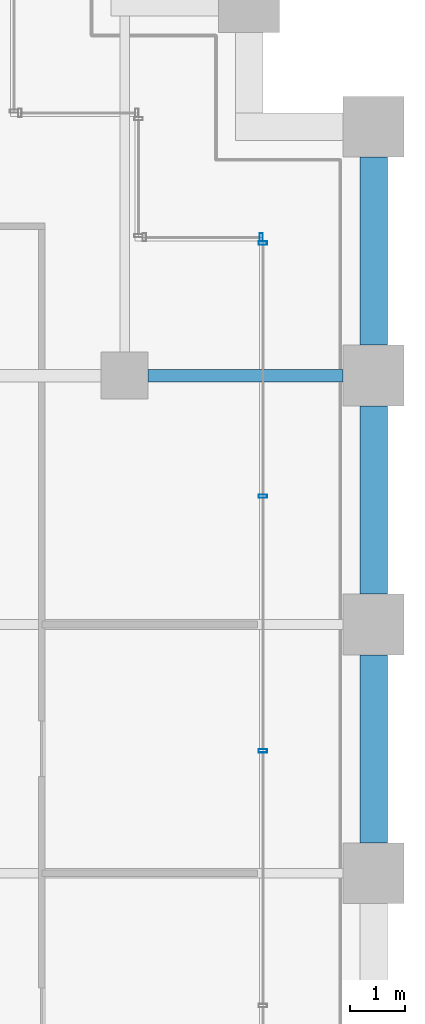
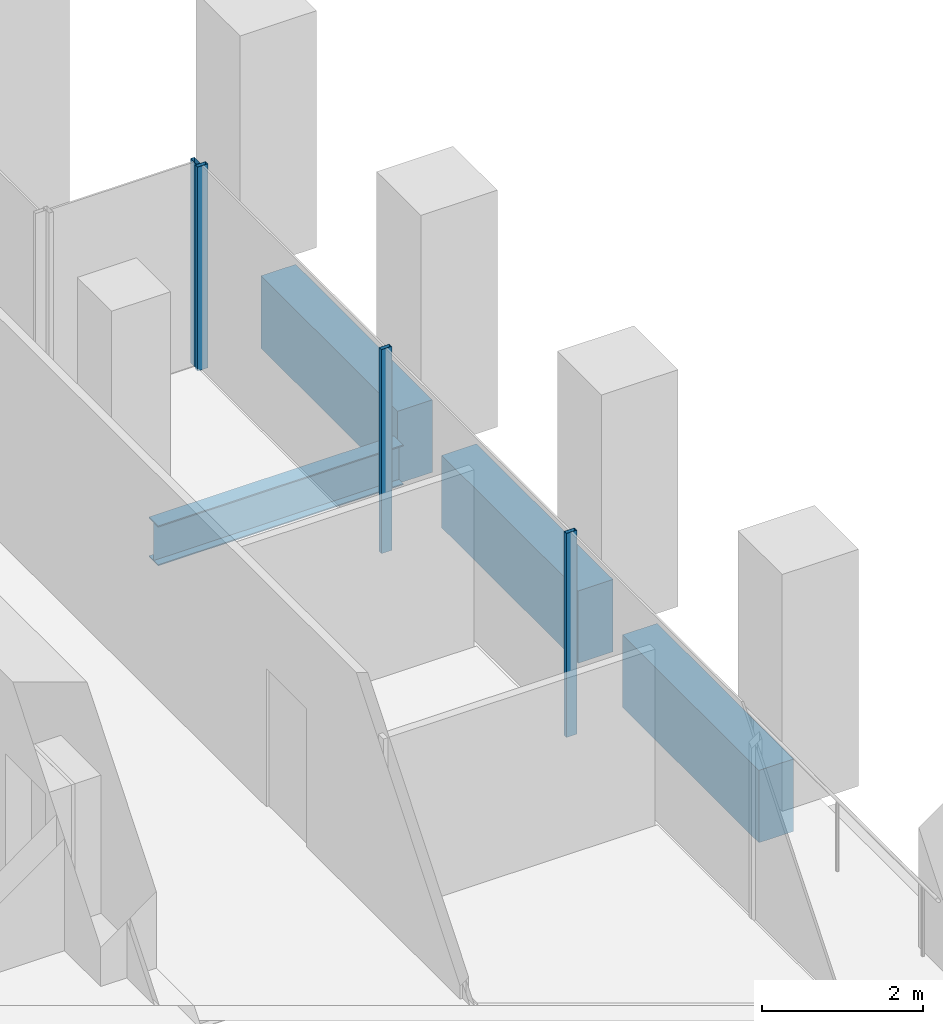
# One storey, part 47 of 56: 4 beams, 4 members, 2 elements without a shape of their own.
"""IFC4 building model written with IfcOpenShell, lengths in metres."""

from ifc_helpers import new_model, si_unit, direction, frame, origin, origin_2d, place, context, subcontext, project, spatial, rectangle, hollow_rectangle, i_section, extrude, material, material_profile, profile_set, type_object, element, aggregate, save


model = new_model("IFC4")

# Units and contexts
model_context = context("Model", 3, precision=1e-05, world=origin(), true_north=direction((0.0, 1.0)))
body_context = subcontext(model_context, "Body", "Model", "MODEL_VIEW")
ifc_project = project(units=[si_unit("LENGTHUNIT", "METRE"), si_unit("AREAUNIT", "SQUARE_METRE"), si_unit("VOLUMEUNIT", "CUBIC_METRE"), si_unit("PLANEANGLEUNIT", "RADIAN"), si_unit("MASSUNIT", "GRAM", prefix="KILO")], contexts=[model_context])

# Site, building, storey
site_placement = place(None, origin())
site = spatial("IfcSite", under=ifc_project, at=site_placement, CompositionType="ELEMENT")
building_placement = place(site_placement, origin())
building = spatial("IfcBuilding", under=site, at=building_placement, Name="Altepetl Exchange Towers", CompositionType="ELEMENT")
storey_placement = place(building_placement, frame((0.0, 0.0, 83.39990234375)))
storey = spatial("IfcBuildingStorey", under=building, at=storey_placement, Name="L20", CompositionType="ELEMENT", Elevation=83.39990234375)

# Beam
ifc_material_1 = material(Name="Steel S355", Category="steel")
ifc_material_profile_1 = material_profile(ifc_material_1, i_section(OverallWidth=0.22802734375, OverallDepth=0.60791015625, WebThickness=0.01123046875, FlangeThickness=0.017333984375, at=origin_2d()), Name="W24X76")
ifc_profile_set_1 = profile_set([ifc_material_profile_1], Name="Steel S355")
beam_type_1 = type_object("IfcBeamType", Name="Girder W24X76", PredefinedType="BEAM", material=ifc_profile_set_1)
beam_1_placement = place(storey_placement, frame((121.925048828125, 49.5, -0.453857421875), z_axis=(1.0, 0.0, 0.0), x_axis=(0.0, 1.0, 0.0)))
element("IfcBeam", 1, at=beam_1_placement, inside=storey, type_object=beam_type_1, Name="gd:B:L20:001", PredefinedType="BEAM", context=body_context, shape_type="SweptSolid", body=[
    extrude(i_section(OverallWidth=0.22802734375, OverallDepth=0.60791015625, WebThickness=0.01123046875, FlangeThickness=0.017333984375, at=origin_2d()), origin(), (0.0, 0.0, 1.0), 3.52490234375),
])

# Curtain wall, members
ifc_material_2 = material(Name="Aluminium 6063-T6 glazing", Category="aluminium")
curtain_wall_type = type_object("IfcCurtainWallType", Name="Loggia glazing system", PredefinedType="NOTDEFINED", material=ifc_material_2)
curtain_wall_1_placement = place(storey_placement, origin())
curtain_wall_1 = element("IfcCurtainWall", 2, at=curtain_wall_1_placement, inside=storey, type_object=curtain_wall_type, Name="CW1 run", PredefinedType="NOTDEFINED")
ifc_material_3 = material(Name="Aluminium 6063-T6", Category="aluminium")
ifc_material_profile_2 = material_profile(ifc_material_3, hollow_rectangle(XDim=0.06005859375, YDim=0.14990234375, WallThickness=0.0029296875, at=origin_2d()), Name="Mullion 60x150 aluminium")
ifc_profile_set_2 = profile_set([ifc_material_profile_2], Name="Aluminium 6063-T6")
member_type = type_object("IfcMemberType", Name="Mullion 60x150 aluminium", PredefinedType="MULLION", material=ifc_profile_set_2)
member_1_placement = place(storey_placement, frame((124.0, 42.71240234375, 0.0), z_axis=(0.0, 0.0, 1.0), x_axis=(0.0, 1.0, 0.0)))
member_1 = element("IfcMember", 3, at=member_1_placement, type_object=member_type, Name="MU1 mullion", PredefinedType="MULLION", context=body_context, shape_type="SweptSolid", body=[
    extrude(hollow_rectangle(XDim=0.06005859375, YDim=0.14990234375, WallThickness=0.0029296875, at=origin_2d()), origin(), (0.0, 0.0, 1.0), 3.10009765625),
])
member_2_placement = place(storey_placement, frame((124.0, 47.31884765625, 0.0), z_axis=(0.0, 0.0, 1.0), x_axis=(0.0, 1.0, 0.0)))
member_2 = element("IfcMember", 4, at=member_2_placement, type_object=member_type, Name="MU1 mullion", PredefinedType="MULLION", context=body_context, shape_type="SweptSolid", body=[
    extrude(hollow_rectangle(XDim=0.06005859375, YDim=0.14990234375, WallThickness=0.0029296875, at=origin_2d()), origin(), (0.0, 0.0, 1.0), 3.10009765625),
])
member_3_placement = place(storey_placement, frame((124.0, 51.89501953125, 0.0), z_axis=(0.0, 0.0, 1.0), x_axis=(0.0, 1.0, 0.0)))
member_3 = element("IfcMember", 5, at=member_3_placement, type_object=member_type, Name="MU1 mullion", PredefinedType="MULLION", context=body_context, shape_type="SweptSolid", body=[
    extrude(hollow_rectangle(XDim=0.06005859375, YDim=0.14990234375, WallThickness=0.0029296875, at=origin_2d()), origin(), (0.0, 0.0, 1.0), 3.10009765625),
])
aggregate(curtain_wall_1, [member_1, member_2, member_3])

# Curtain wall, member
curtain_wall_2_placement = place(storey_placement, origin())
curtain_wall_2 = element("IfcCurtainWall", 6, at=curtain_wall_2_placement, inside=storey, type_object=curtain_wall_type, Name="CW1 run", PredefinedType="NOTDEFINED")
member_4_placement = place(storey_placement, frame((123.969970703125, 52.0, 0.0), z_axis=(0.0, 0.0, 1.0), x_axis=(-1.0, 0.0, 0.0)))
member_4 = element("IfcMember", 7, at=member_4_placement, type_object=member_type, Name="MU1 mullion", PredefinedType="MULLION", context=body_context, shape_type="SweptSolid", body=[
    extrude(hollow_rectangle(XDim=0.06005859375, YDim=0.14990234375, WallThickness=0.0029296875, at=origin_2d()), origin(), (0.0, 0.0, 1.0), 3.10009765625),
])
aggregate(curtain_wall_2, [member_4])

# Beams
ifc_material_4 = material(Name="Concrete C50/60 precast with cantera amarilla facing", Category="concrete")
ifc_material_profile_3 = material_profile(ifc_material_4, rectangle(XDim=0.5, YDim=1.10009765625, at=origin_2d()), Name="500 x 1100")
ifc_profile_set_3 = profile_set([ifc_material_profile_3], Name="Concrete C50/60 precast with cantera amarilla facing")
beam_type_2 = type_object("IfcBeamType", Name="Spandrel beam 500x1100 cantera amarilla", PredefinedType="SPANDREL", material=ifc_profile_set_3)
beam_2_placement = place(storey_placement, frame((126.0, 50.050048828125, -0.699951171875), z_axis=(0.0, 1.0, 0.0), x_axis=(-1.0, 0.0, 0.0)))
element("IfcBeam", 8, at=beam_2_placement, inside=storey, type_object=beam_type_2, Name="sp:B:L20:013", PredefinedType="SPANDREL", context=body_context, shape_type="SweptSolid", body=[
    extrude(rectangle(XDim=0.5, YDim=1.10009765625, at=origin_2d()), origin(), (0.0, 0.0, 1.0), 3.39990234375),
])
ifc_material_5 = material(Name="Concrete C50/60 precast with cantera blanca facing", Category="concrete")
ifc_material_profile_4 = material_profile(ifc_material_5, rectangle(XDim=0.5, YDim=1.10009765625, at=origin_2d()), Name="500 x 1100")
ifc_profile_set_4 = profile_set([ifc_material_profile_4], Name="Concrete C50/60 precast with cantera blanca facing")
beam_type_3 = type_object("IfcBeamType", Name="Spandrel beam 500x1100 cantera blanca", PredefinedType="SPANDREL", material=ifc_profile_set_4)
for number, where, z_axis, x_axis, name in (
    (9, (126.0, 41.050048828125, -0.699951171875), (0.0, 1.0, 0.0), (-1.0, 0.0, 0.0), "sp:B:L20:011"),
    (10, (126.0, 45.550048828125, -0.699951171875), (0.0, 1.0, 0.0), (-1.0, 0.0, 0.0), "sp:B:L20:012"),
):
    element("IfcBeam", number, at=place(storey_placement, frame(where, z_axis=z_axis, x_axis=x_axis)), inside=storey, type_object=beam_type_3, Name=name, PredefinedType="SPANDREL", context=body_context, shape_type="SweptSolid", body=[
        extrude(rectangle(XDim=0.5, YDim=1.10009765625, at=origin_2d()), origin(), (0.0, 0.0, 1.0), 3.39990234375),
    ])

save(model, "model.ifc")
